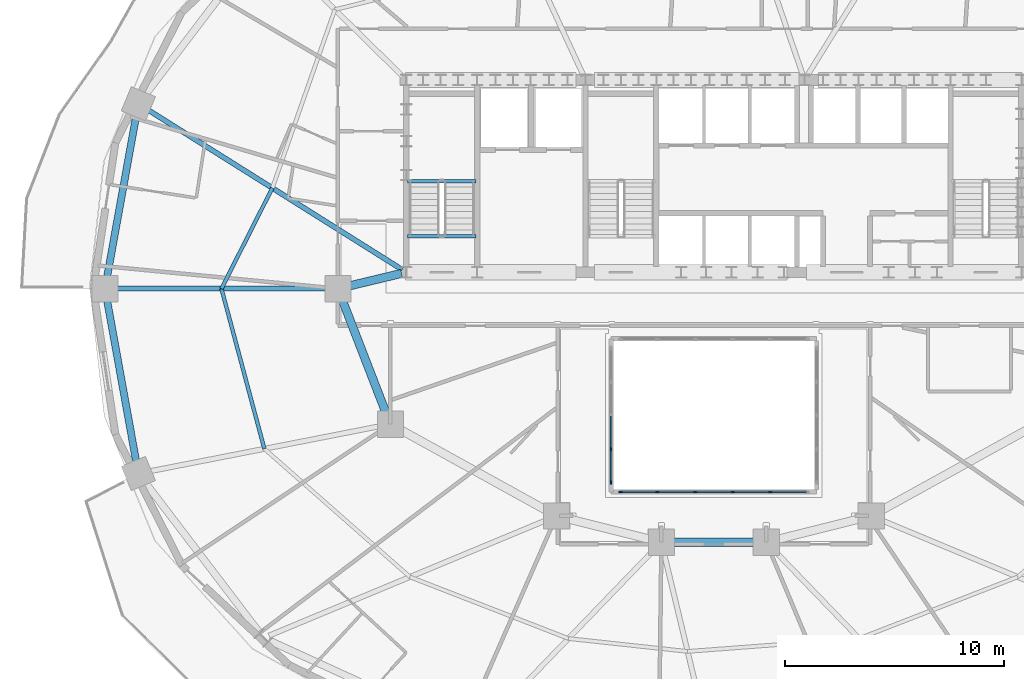
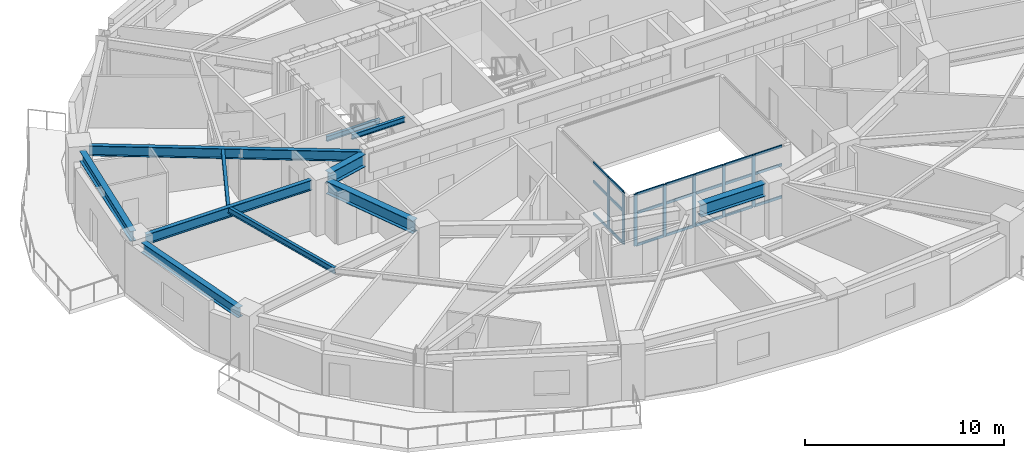
# One storey, part 2 of 14: 28 members, 11 beams, 2 elements without a shape of their own.
"""IFC4 building model written with IfcOpenShell, lengths in metres."""

from ifc_helpers import new_model, si_unit, direction, frame, origin, origin_2d, place, context, subcontext, project, spatial, rectangle, i_section, extrude, material, material_profile, profile_set, type_object, element, aggregate, save


model = new_model("IFC4")

# Units and contexts
model_context = context("Model", 3, precision=1e-05, world=origin(), true_north=direction((0.0, 1.0)))
body_context = subcontext(model_context, "Body", "Model", "MODEL_VIEW")
ifc_project = project(units=[si_unit("LENGTHUNIT", "METRE"), si_unit("AREAUNIT", "SQUARE_METRE"), si_unit("VOLUMEUNIT", "CUBIC_METRE"), si_unit("PLANEANGLEUNIT", "RADIAN"), si_unit("MASSUNIT", "GRAM", prefix="KILO")], contexts=[model_context])

# Site, building, storey
site_placement = place(None, origin())
site = spatial("IfcSite", under=ifc_project, at=site_placement, CompositionType="ELEMENT")
building_placement = place(site_placement, origin())
building = spatial("IfcBuilding", under=site, at=building_placement, Name="Haldorwick Loom Tower", CompositionType="ELEMENT")
storey_placement = place(building_placement, frame((0.0, 0.0, 102.5)))
storey = spatial("IfcBuildingStorey", under=building, at=storey_placement, Name="L27", CompositionType="ELEMENT", Elevation=102.5)

# Curtain wall, members
ifc_material_1 = material(Name="Thermally Broken Anodized Aluminium Curtain Wall Framing", Category="aluminium")
curtain_wall_type = type_object("IfcCurtainWallType", Name="ARC-CW-03", PredefinedType="NOTDEFINED", material=ifc_material_1)
curtain_wall_1_placement = place(storey_placement, origin())
curtain_wall_1 = element("IfcCurtainWall", 1, at=curtain_wall_1_placement, inside=storey, type_object=curtain_wall_type, Name="L27 Atrium Glazed Screen S", PredefinedType="NOTDEFINED")
ifc_material_profile_1 = material_profile(ifc_material_1, rectangle(XDim=0.06591796875, YDim=0.18505859375, at=origin_2d()), Name="ALU_MUL_66X185", Category="aluminium")
ifc_profile_set_1 = profile_set([ifc_material_profile_1], Name="Thermally Broken Anodized Aluminium Curtain Wall Framing")
member_type_1 = type_object("IfcMemberType", Name="ARC-CWM-03", PredefinedType="MULLION", material=ifc_profile_set_1)
member_1_placement = place(storey_placement, frame((38.580078125, 16.699951171875, 0.0), z_axis=(0.0, 0.0, 1.0), x_axis=(0.0, -1.0, 0.0)))
member_1 = element("IfcMember", 2, at=member_1_placement, type_object=member_type_1, Name="CW-03 mullion 2", PredefinedType="MULLION", context=body_context, shape_type="SweptSolid", body=[
    extrude(rectangle(XDim=0.06591796875, YDim=0.18505859375, at=origin_2d()), origin(), (0.0, 0.0, 1.0), 3.169921875),
])
member_2_placement = place(storey_placement, frame((36.860107421875, 16.699951171875, 0.0), z_axis=(0.0, 0.0, 1.0), x_axis=(0.0, -1.0, 0.0)))
member_2 = element("IfcMember", 3, at=member_2_placement, type_object=member_type_1, Name="CW-03 mullion 3", PredefinedType="MULLION", context=body_context, shape_type="SweptSolid", body=[
    extrude(rectangle(XDim=0.06591796875, YDim=0.18505859375, at=origin_2d()), origin(), (0.0, 0.0, 1.0), 3.169921875),
])
member_3_placement = place(storey_placement, frame((35.139892578125, 16.699951171875, 0.0), z_axis=(0.0, 0.0, 1.0), x_axis=(0.0, -1.0, 0.0)))
member_3 = element("IfcMember", 4, at=member_3_placement, type_object=member_type_1, Name="CW-03 mullion 4", PredefinedType="MULLION", context=body_context, shape_type="SweptSolid", body=[
    extrude(rectangle(XDim=0.06591796875, YDim=0.18505859375, at=origin_2d()), origin(), (0.0, 0.0, 1.0), 3.169921875),
])
member_4_placement = place(storey_placement, frame((33.419921875, 16.699951171875, 0.0), z_axis=(0.0, 0.0, 1.0), x_axis=(0.0, -1.0, 0.0)))
member_4 = element("IfcMember", 5, at=member_4_placement, type_object=member_type_1, Name="CW-03 mullion 5", PredefinedType="MULLION", context=body_context, shape_type="SweptSolid", body=[
    extrude(rectangle(XDim=0.06591796875, YDim=0.18505859375, at=origin_2d()), origin(), (0.0, 0.0, 1.0), 3.169921875),
])
member_5_placement = place(storey_placement, frame((31.73291015625, 16.699951171875, 0.0), z_axis=(0.0, 0.0, 1.0), x_axis=(0.0, -1.0, 0.0)))
member_5 = element("IfcMember", 6, at=member_5_placement, type_object=member_type_1, Name="CW-03 mullion 6", PredefinedType="MULLION", context=body_context, shape_type="SweptSolid", body=[
    extrude(rectangle(XDim=0.06591796875, YDim=0.18505859375, at=origin_2d()), origin(), (0.0, 0.0, 1.0), 3.169921875),
])

curtain_wall_2_placement = place(storey_placement, origin())
curtain_wall_2 = element("IfcCurtainWall", 7, at=curtain_wall_2_placement, inside=storey, type_object=curtain_wall_type, Name="L27 Atrium Glazed Screen W", PredefinedType="NOTDEFINED")
member_6_placement = place(storey_placement, frame((31.300048828125, 17.133056640625, 0.0), z_axis=(0.0, 0.0, 1.0), x_axis=(-1.0, 0.0, 0.0)))
member_6 = element("IfcMember", 8, at=member_6_placement, type_object=member_type_1, Name="CW-03 mullion 1", PredefinedType="MULLION", context=body_context, shape_type="SweptSolid", body=[
    extrude(rectangle(XDim=0.06591796875, YDim=0.18505859375, at=origin_2d()), origin(), (0.0, 0.0, 1.0), 3.169921875),
])
member_7_placement = place(storey_placement, frame((31.300048828125, 18.64990234375, 0.0), z_axis=(0.0, 0.0, 1.0), x_axis=(-1.0, 0.0, 0.0)))
member_7 = element("IfcMember", 9, at=member_7_placement, type_object=member_type_1, Name="CW-03 mullion 2", PredefinedType="MULLION", context=body_context, shape_type="SweptSolid", body=[
    extrude(rectangle(XDim=0.06591796875, YDim=0.18505859375, at=origin_2d()), origin(), (0.0, 0.0, 1.0), 3.169921875),
])

# Member
ifc_material_profile_2 = material_profile(ifc_material_1, rectangle(XDim=0.06591796875, YDim=0.1650390625, at=origin_2d()), Name="ALU_TRN_66X165", Category="aluminium")
ifc_profile_set_2 = profile_set([ifc_material_profile_2], Name="Thermally Broken Anodized Aluminium Curtain Wall Framing")
member_type_2 = type_object("IfcMemberType", Name="ARC-CWT-03", PredefinedType="USERDEFINED", material=ifc_profile_set_2)
member_8_placement = place(storey_placement, frame((40.23388671875, 16.699951171875, 0.032958984375), z_axis=(-1.0, 0.0, 0.0), x_axis=(0.0, -1.0, 0.0)))
member_8 = element("IfcMember", 10, at=member_8_placement, type_object=member_type_2, Name="CW-03 transom 1.1", ObjectType="TRANSOM", PredefinedType="USERDEFINED", context=body_context, shape_type="SweptSolid", body=[
    extrude(rectangle(XDim=0.06591796875, YDim=0.1650390625, at=origin_2d()), origin(), (0.0, 0.0, 1.0), 1.620849609375),
])

member_9_placement = place(storey_placement, frame((40.23388671875, 16.699951171875, 2.0), z_axis=(-1.0, 0.0, 0.0), x_axis=(0.0, -1.0, 0.0)))
member_9 = element("IfcMember", 11, at=member_9_placement, type_object=member_type_2, Name="CW-03 transom 1.2", ObjectType="TRANSOM", PredefinedType="USERDEFINED", context=body_context, shape_type="SweptSolid", body=[
    extrude(rectangle(XDim=0.06591796875, YDim=0.1650390625, at=origin_2d()), origin(), (0.0, 0.0, 1.0), 1.620849609375),
])

member_10_placement = place(storey_placement, frame((40.23388671875, 16.699951171875, 3.136962890625), z_axis=(-1.0, 0.0, 0.0), x_axis=(0.0, -1.0, 0.0)))
member_10 = element("IfcMember", 12, at=member_10_placement, type_object=member_type_2, Name="CW-03 transom 1.3", ObjectType="TRANSOM", PredefinedType="USERDEFINED", context=body_context, shape_type="SweptSolid", body=[
    extrude(rectangle(XDim=0.06591796875, YDim=0.1650390625, at=origin_2d()), origin(), (0.0, 0.0, 1.0), 1.620849609375),
])

member_11_placement = place(storey_placement, frame((38.547119140625, 16.699951171875, 0.032958984375), z_axis=(-1.0, 0.0, 0.0), x_axis=(0.0, -1.0, 0.0)))
member_11 = element("IfcMember", 13, at=member_11_placement, type_object=member_type_2, Name="CW-03 transom 2.1", ObjectType="TRANSOM", PredefinedType="USERDEFINED", context=body_context, shape_type="SweptSolid", body=[
    extrude(rectangle(XDim=0.06591796875, YDim=0.1650390625, at=origin_2d()), origin(), (0.0, 0.0, 1.0), 1.654052734375),
])

member_12_placement = place(storey_placement, frame((38.547119140625, 16.699951171875, 2.0), z_axis=(-1.0, 0.0, 0.0), x_axis=(0.0, -1.0, 0.0)))
member_12 = element("IfcMember", 14, at=member_12_placement, type_object=member_type_2, Name="CW-03 transom 2.2", ObjectType="TRANSOM", PredefinedType="USERDEFINED", context=body_context, shape_type="SweptSolid", body=[
    extrude(rectangle(XDim=0.06591796875, YDim=0.1650390625, at=origin_2d()), origin(), (0.0, 0.0, 1.0), 1.654052734375),
])

member_13_placement = place(storey_placement, frame((38.547119140625, 16.699951171875, 3.136962890625), z_axis=(-1.0, 0.0, 0.0), x_axis=(0.0, -1.0, 0.0)))
member_13 = element("IfcMember", 15, at=member_13_placement, type_object=member_type_2, Name="CW-03 transom 2.3", ObjectType="TRANSOM", PredefinedType="USERDEFINED", context=body_context, shape_type="SweptSolid", body=[
    extrude(rectangle(XDim=0.06591796875, YDim=0.1650390625, at=origin_2d()), origin(), (0.0, 0.0, 1.0), 1.654052734375),
])

member_14_placement = place(storey_placement, frame((36.826904296875, 16.699951171875, 0.032958984375), z_axis=(-1.0, 0.0, 0.0), x_axis=(0.0, -1.0, 0.0)))
member_14 = element("IfcMember", 16, at=member_14_placement, type_object=member_type_2, Name="CW-03 transom 3.1", ObjectType="TRANSOM", PredefinedType="USERDEFINED", context=body_context, shape_type="SweptSolid", body=[
    extrude(rectangle(XDim=0.06591796875, YDim=0.1650390625, at=origin_2d()), origin(), (0.0, 0.0, 1.0), 1.65380859375),
])

member_15_placement = place(storey_placement, frame((36.826904296875, 16.699951171875, 2.0), z_axis=(-1.0, 0.0, 0.0), x_axis=(0.0, -1.0, 0.0)))
member_15 = element("IfcMember", 17, at=member_15_placement, type_object=member_type_2, Name="CW-03 transom 3.2", ObjectType="TRANSOM", PredefinedType="USERDEFINED", context=body_context, shape_type="SweptSolid", body=[
    extrude(rectangle(XDim=0.06591796875, YDim=0.1650390625, at=origin_2d()), origin(), (0.0, 0.0, 1.0), 1.65380859375),
])

member_16_placement = place(storey_placement, frame((36.826904296875, 16.699951171875, 3.136962890625), z_axis=(-1.0, 0.0, 0.0), x_axis=(0.0, -1.0, 0.0)))
member_16 = element("IfcMember", 18, at=member_16_placement, type_object=member_type_2, Name="CW-03 transom 3.3", ObjectType="TRANSOM", PredefinedType="USERDEFINED", context=body_context, shape_type="SweptSolid", body=[
    extrude(rectangle(XDim=0.06591796875, YDim=0.1650390625, at=origin_2d()), origin(), (0.0, 0.0, 1.0), 1.65380859375),
])

member_17_placement = place(storey_placement, frame((35.10693359375, 16.699951171875, 0.032958984375), z_axis=(-1.0, 0.0, 0.0), x_axis=(0.0, -1.0, 0.0)))
member_17 = element("IfcMember", 19, at=member_17_placement, type_object=member_type_2, Name="CW-03 transom 4.1", ObjectType="TRANSOM", PredefinedType="USERDEFINED", context=body_context, shape_type="SweptSolid", body=[
    extrude(rectangle(XDim=0.06591796875, YDim=0.1650390625, at=origin_2d()), origin(), (0.0, 0.0, 1.0), 1.654052734375),
])

member_18_placement = place(storey_placement, frame((35.10693359375, 16.699951171875, 2.0), z_axis=(-1.0, 0.0, 0.0), x_axis=(0.0, -1.0, 0.0)))
member_18 = element("IfcMember", 20, at=member_18_placement, type_object=member_type_2, Name="CW-03 transom 4.2", ObjectType="TRANSOM", PredefinedType="USERDEFINED", context=body_context, shape_type="SweptSolid", body=[
    extrude(rectangle(XDim=0.06591796875, YDim=0.1650390625, at=origin_2d()), origin(), (0.0, 0.0, 1.0), 1.654052734375),
])

member_19_placement = place(storey_placement, frame((35.10693359375, 16.699951171875, 3.136962890625), z_axis=(-1.0, 0.0, 0.0), x_axis=(0.0, -1.0, 0.0)))
member_19 = element("IfcMember", 21, at=member_19_placement, type_object=member_type_2, Name="CW-03 transom 4.3", ObjectType="TRANSOM", PredefinedType="USERDEFINED", context=body_context, shape_type="SweptSolid", body=[
    extrude(rectangle(XDim=0.06591796875, YDim=0.1650390625, at=origin_2d()), origin(), (0.0, 0.0, 1.0), 1.654052734375),
])

member_20_placement = place(storey_placement, frame((33.386962890625, 16.699951171875, 0.032958984375), z_axis=(-1.0, 0.0, 0.0), x_axis=(0.0, -1.0, 0.0)))
member_20 = element("IfcMember", 22, at=member_20_placement, type_object=member_type_2, Name="CW-03 transom 5.1", ObjectType="TRANSOM", PredefinedType="USERDEFINED", context=body_context, shape_type="SweptSolid", body=[
    extrude(rectangle(XDim=0.06591796875, YDim=0.1650390625, at=origin_2d()), origin(), (0.0, 0.0, 1.0), 1.620849609375),
])

member_21_placement = place(storey_placement, frame((33.386962890625, 16.699951171875, 2.0), z_axis=(-1.0, 0.0, 0.0), x_axis=(0.0, -1.0, 0.0)))
member_21 = element("IfcMember", 23, at=member_21_placement, type_object=member_type_2, Name="CW-03 transom 5.2", ObjectType="TRANSOM", PredefinedType="USERDEFINED", context=body_context, shape_type="SweptSolid", body=[
    extrude(rectangle(XDim=0.06591796875, YDim=0.1650390625, at=origin_2d()), origin(), (0.0, 0.0, 1.0), 1.620849609375),
])

member_22_placement = place(storey_placement, frame((33.386962890625, 16.699951171875, 3.136962890625), z_axis=(-1.0, 0.0, 0.0), x_axis=(0.0, -1.0, 0.0)))
member_22 = element("IfcMember", 24, at=member_22_placement, type_object=member_type_2, Name="CW-03 transom 5.3", ObjectType="TRANSOM", PredefinedType="USERDEFINED", context=body_context, shape_type="SweptSolid", body=[
    extrude(rectangle(XDim=0.06591796875, YDim=0.1650390625, at=origin_2d()), origin(), (0.0, 0.0, 1.0), 1.620849609375),
])

aggregate(curtain_wall_1, [member_1, member_2, member_3, member_4, member_5, member_8, member_9, member_10, member_11, member_12, member_13, member_14, member_15, member_16, member_17, member_18, member_19, member_20, member_21, member_22])

member_23_placement = place(storey_placement, frame((31.300048828125, 17.166015625, 0.032958984375), z_axis=(0.0, 1.0, 0.0), x_axis=(-1.0, 0.0, 0.0)))
member_23 = element("IfcMember", 25, at=member_23_placement, type_object=member_type_2, Name="CW-03 transom 1.1", ObjectType="TRANSOM", PredefinedType="USERDEFINED", context=body_context, shape_type="SweptSolid", body=[
    extrude(rectangle(XDim=0.06591796875, YDim=0.1650390625, at=origin_2d()), origin(), (0.0, 0.0, 1.0), 1.450927734375),
])

member_24_placement = place(storey_placement, frame((31.300048828125, 17.166015625, 2.0), z_axis=(0.0, 1.0, 0.0), x_axis=(-1.0, 0.0, 0.0)))
member_24 = element("IfcMember", 26, at=member_24_placement, type_object=member_type_2, Name="CW-03 transom 1.2", ObjectType="TRANSOM", PredefinedType="USERDEFINED", context=body_context, shape_type="SweptSolid", body=[
    extrude(rectangle(XDim=0.06591796875, YDim=0.1650390625, at=origin_2d()), origin(), (0.0, 0.0, 1.0), 1.450927734375),
])

member_25_placement = place(storey_placement, frame((31.300048828125, 17.166015625, 3.136962890625), z_axis=(0.0, 1.0, 0.0), x_axis=(-1.0, 0.0, 0.0)))
member_25 = element("IfcMember", 27, at=member_25_placement, type_object=member_type_2, Name="CW-03 transom 1.3", ObjectType="TRANSOM", PredefinedType="USERDEFINED", context=body_context, shape_type="SweptSolid", body=[
    extrude(rectangle(XDim=0.06591796875, YDim=0.1650390625, at=origin_2d()), origin(), (0.0, 0.0, 1.0), 1.450927734375),
])

member_26_placement = place(storey_placement, frame((31.300048828125, 18.68310546875, 0.032958984375), z_axis=(0.0, 1.0, 0.0), x_axis=(-1.0, 0.0, 0.0)))
member_26 = element("IfcMember", 28, at=member_26_placement, type_object=member_type_2, Name="CW-03 transom 2.1", ObjectType="TRANSOM", PredefinedType="USERDEFINED", context=body_context, shape_type="SweptSolid", body=[
    extrude(rectangle(XDim=0.06591796875, YDim=0.1650390625, at=origin_2d()), origin(), (0.0, 0.0, 1.0), 1.48388671875),
])

member_27_placement = place(storey_placement, frame((31.300048828125, 18.68310546875, 2.0), z_axis=(0.0, 1.0, 0.0), x_axis=(-1.0, 0.0, 0.0)))
member_27 = element("IfcMember", 29, at=member_27_placement, type_object=member_type_2, Name="CW-03 transom 2.2", ObjectType="TRANSOM", PredefinedType="USERDEFINED", context=body_context, shape_type="SweptSolid", body=[
    extrude(rectangle(XDim=0.06591796875, YDim=0.1650390625, at=origin_2d()), origin(), (0.0, 0.0, 1.0), 1.48388671875),
])

member_28_placement = place(storey_placement, frame((31.300048828125, 18.68310546875, 3.136962890625), z_axis=(0.0, 1.0, 0.0), x_axis=(-1.0, 0.0, 0.0)))
member_28 = element("IfcMember", 30, at=member_28_placement, type_object=member_type_2, Name="CW-03 transom 2.3", ObjectType="TRANSOM", PredefinedType="USERDEFINED", context=body_context, shape_type="SweptSolid", body=[
    extrude(rectangle(XDim=0.06591796875, YDim=0.1650390625, at=origin_2d()), origin(), (0.0, 0.0, 1.0), 1.48388671875),
])

aggregate(curtain_wall_2, [member_6, member_7, member_23, member_24, member_25, member_26, member_27, member_28])

# Beams
ifc_material_2 = material(Name="Steel CSA G40.21 350W", Category="steel")
ifc_material_profile_3 = material_profile(ifc_material_2, i_section(OverallWidth=0.172119140625, OverallDepth=0.35791015625, WebThickness=0.0078125, FlangeThickness=0.01318359375, at=origin_2d()), Name="W360X57", Category="steel")
ifc_profile_set_3 = profile_set([ifc_material_profile_3], Name="Steel CSA G40.21 350W")
beam_type_1 = type_object("IfcBeamType", Name="STR-BM-J360", PredefinedType="JOIST", material=ifc_profile_set_3)
beam_1_placement = place(storey_placement, frame((15.7998046875, 30.603515625, 2.990966796875), z_axis=(-0.451373231558, -0.892335254169, 0.0), x_axis=(0.892335254169, -0.451373231558, 0.0)))
element("IfcBeam", 31, at=beam_1_placement, inside=storey, type_object=beam_type_1, Name="L27 Mid-Bay Secondary Joist 8", PredefinedType="JOIST", context=body_context, shape_type="SweptSolid", body=[
    extrude(i_section(OverallWidth=0.172119140625, OverallDepth=0.35791015625, WebThickness=0.0078125, FlangeThickness=0.01318359375, at=origin_2d()), origin(), (0.0, 0.0, 1.0), 5.158935546875),
])
beam_2_placement = place(storey_placement, frame((13.47119140625, 26.0, 2.990966796875), z_axis=(0.258810072536, -0.965928230436, 0.0), x_axis=(0.965928230436, 0.258810072536, 0.0)))
element("IfcBeam", 32, at=beam_2_placement, inside=storey, type_object=beam_type_1, Name="L27 Mid-Bay Secondary Joist 9", PredefinedType="JOIST", context=body_context, shape_type="SweptSolid", body=[
    extrude(i_section(OverallWidth=0.172119140625, OverallDepth=0.35791015625, WebThickness=0.0078125, FlangeThickness=0.01318359375, at=origin_2d()), origin(), (0.0, 0.0, 1.0), 7.587158203125),
])
ifc_material_profile_4 = material_profile(ifc_material_2, i_section(OverallWidth=0.324951171875, OverallDepth=0.615966796875, WebThickness=0.013916015625, FlangeThickness=0.021484375, at=origin_2d()), Name="W610X174", Category="steel")
ifc_profile_set_4 = profile_set([ifc_material_profile_4], Name="Steel CSA G40.21 350W")
beam_type_2 = type_object("IfcBeamType", Name="STR-BM-SP610", PredefinedType="SPANDREL", material=ifc_profile_set_4)
for number, where, z_axis, x_axis, name in (
    (33, (9.576904296875, 33.945556640625, 2.862060546875), (-0.177659490888, -0.984092020747, 0.0), (0.984092020747, -0.177659490888, 0.0), "L27 Perimeter Spandrel 8"),
    (34, (8.23486328125, 25.48828125, 2.862060546875), (0.177659490888, -0.984092020747, 0.0), (0.984092020747, 0.177659490888, 0.0), "L27 Perimeter Spandrel 9"),
):
    element("IfcBeam", number, at=place(storey_placement, frame(where, z_axis=z_axis, x_axis=x_axis)), inside=storey, type_object=beam_type_2, Name=name, PredefinedType="SPANDREL", context=body_context, shape_type="SweptSolid", body=[
        extrude(i_section(OverallWidth=0.324951171875, OverallDepth=0.615966796875, WebThickness=0.013916015625, FlangeThickness=0.021484375, at=origin_2d()), origin(), (0.0, 0.0, 1.0), 7.553955078125),
    ])
ifc_material_profile_5 = material_profile(ifc_material_2, i_section(OverallWidth=0.166015625, OverallDepth=0.31298828125, WebThickness=0.006591796875, FlangeThickness=0.01123046875, at=origin_2d()), Name="W310X45", Category="steel")
ifc_profile_set_5 = profile_set([ifc_material_profile_5], Name="Steel CSA G40.21 350W")
beam_type_3 = type_object("IfcBeamType", Name="STR-BM-STRM", PredefinedType="BEAM", material=ifc_profile_set_5)
for number, where, z_axis, x_axis, name in (
    (35, (21.989990234375, 28.39990234375, 3.013427734375), (1.0, 0.0, 0.0), (0.0, 1.0, 0.0), "L27 Stair ST-01 Landing Edge Trimmer"),
    (36, (21.989990234375, 30.919921875, 1.368408203125), (1.0, 0.0, 0.0), (0.0, 1.0, 0.0), "L27 Stair ST-01 Half-Landing Trimmer 1"),
):
    element("IfcBeam", number, at=place(storey_placement, frame(where, z_axis=z_axis, x_axis=x_axis)), inside=storey, type_object=beam_type_3, Name=name, PredefinedType="BEAM", context=body_context, shape_type="SweptSolid", body=[
        extrude(i_section(OverallWidth=0.166015625, OverallDepth=0.31298828125, WebThickness=0.006591796875, FlangeThickness=0.01123046875, at=origin_2d()), origin(), (0.0, 0.0, 1.0), 3.1201171875),
    ])
ifc_material_profile_6 = material_profile(ifc_material_2, i_section(OverallWidth=0.22998046875, OverallDepth=0.616943359375, WebThickness=0.01318359375, FlangeThickness=0.022216796875, at=origin_2d()), Name="W610X140", Category="steel")
ifc_profile_set_6 = profile_set([ifc_material_profile_6], Name="Steel CSA G40.21 350W")
beam_type_4 = type_object("IfcBeamType", Name="STR-BM-W610B", PredefinedType="BEAM", material=ifc_profile_set_6)
beam_3_placement = place(storey_placement, frame((21.739501953125, 26.86962890625, 2.861572265625), z_axis=(-0.846609551433, 0.532214493811, 0.0), x_axis=(-0.532214493811, -0.846609551433, 0.0)))
element("IfcBeam", 37, at=beam_3_placement, inside=storey, type_object=beam_type_4, Name="L27 Radial Floor Girder 8", PredefinedType="BEAM", context=body_context, shape_type="SweptSolid", body=[
    extrude(i_section(OverallWidth=0.22998046875, OverallDepth=0.616943359375, WebThickness=0.01318359375, FlangeThickness=0.022216796875, at=origin_2d()), origin(), (0.0, 0.0, 1.0), 13.737060546875),
])
beam_4_placement = place(storey_placement, frame((18.280029296875, 26.0, 2.861572265625), z_axis=(-1.0, 0.0, 0.0), x_axis=(0.0, -1.0, 0.0)))
element("IfcBeam", 38, at=beam_4_placement, inside=storey, type_object=beam_type_4, Name="L27 Radial Floor Girder 9", PredefinedType="BEAM", context=body_context, shape_type="SweptSolid", body=[
    extrude(i_section(OverallWidth=0.22998046875, OverallDepth=0.616943359375, WebThickness=0.01318359375, FlangeThickness=0.022216796875, at=origin_2d()), origin(), (0.0, 0.0, 1.0), 9.61767578125),
])
ifc_material_profile_7 = material_profile(ifc_material_2, i_section(OverallWidth=0.381103515625, OverallDepth=0.77294921875, WebThickness=0.0166015625, FlangeThickness=0.027587890625, at=origin_2d()), Name="W760X257", Category="steel")
ifc_profile_set_7 = profile_set([ifc_material_profile_7], Name="Steel CSA G40.21 350W")
beam_type_5 = type_object("IfcBeamType", Name="STR-BM-W760", PredefinedType="BEAM", material=ifc_profile_set_7)
beam_5_placement = place(storey_placement, frame((37.8798828125, 14.39990234375, 2.783447265625), z_axis=(-1.0, 0.0, 0.0), x_axis=(0.0, -1.0, 0.0)))
element("IfcBeam", 39, at=beam_5_placement, inside=storey, type_object=beam_type_5, Name="L27 Inner Ring Girder 5", PredefinedType="BEAM", context=body_context, shape_type="SweptSolid", body=[
    extrude(i_section(OverallWidth=0.381103515625, OverallDepth=0.77294921875, WebThickness=0.0166015625, FlangeThickness=0.027587890625, at=origin_2d()), origin(), (0.0, 0.0, 1.0), 3.759765625),
])
beam_6_placement = place(storey_placement, frame((21.01220703125, 20.284912109375, 2.783447265625), z_axis=(-0.360964792353, 0.93257944363, 0.0), x_axis=(-0.93257944363, -0.360964792353, 0.0)))
element("IfcBeam", 40, at=beam_6_placement, inside=storey, type_object=beam_type_5, Name="L27 Inner Ring Girder 8", PredefinedType="BEAM", context=body_context, shape_type="SweptSolid", body=[
    extrude(i_section(OverallWidth=0.381103515625, OverallDepth=0.77294921875, WebThickness=0.0166015625, FlangeThickness=0.027587890625, at=origin_2d()), origin(), (0.0, 0.0, 1.0), 5.6083984375),
])
beam_7_placement = place(storey_placement, frame((19.3056640625, 26.12109375, 2.783447265625), z_axis=(0.97247055837, 0.233025777764, 0.0), x_axis=(-0.233025777764, 0.97247055837, 0.0)))
element("IfcBeam", 41, at=beam_7_placement, inside=storey, type_object=beam_type_5, Name="L27 Inner Ring Girder 9", PredefinedType="BEAM", context=body_context, shape_type="SweptSolid", body=[
    extrude(i_section(OverallWidth=0.381103515625, OverallDepth=0.77294921875, WebThickness=0.0166015625, FlangeThickness=0.027587890625, at=origin_2d()), origin(), (0.0, 0.0, 1.0), 2.4736328125),
])

save(model, "model.ifc")
